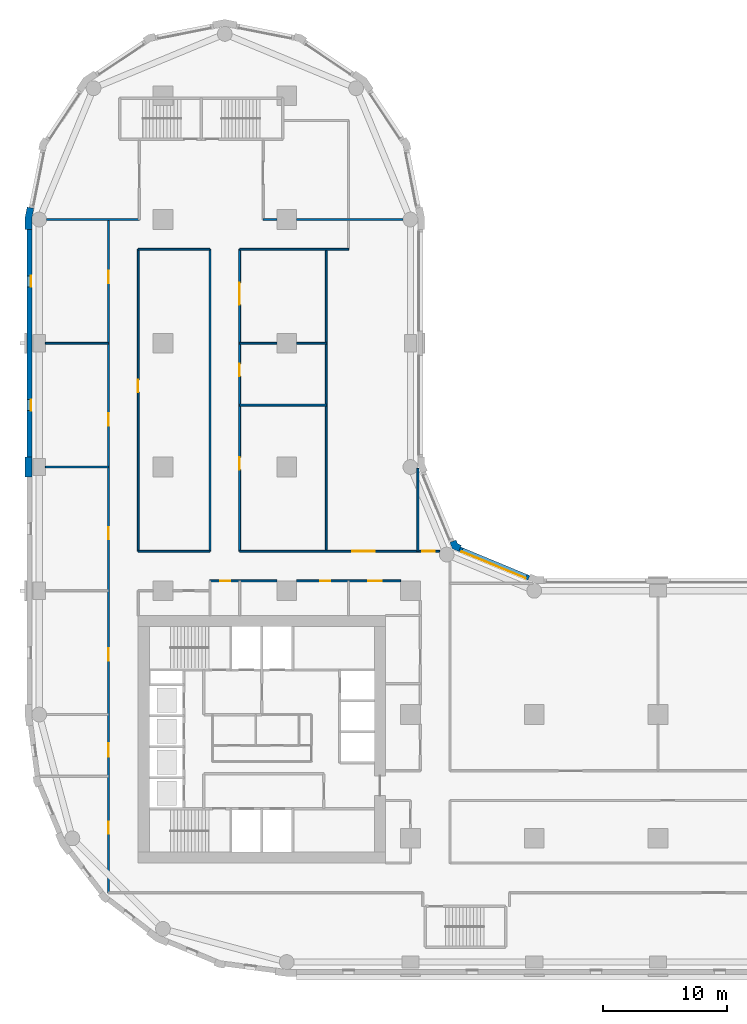
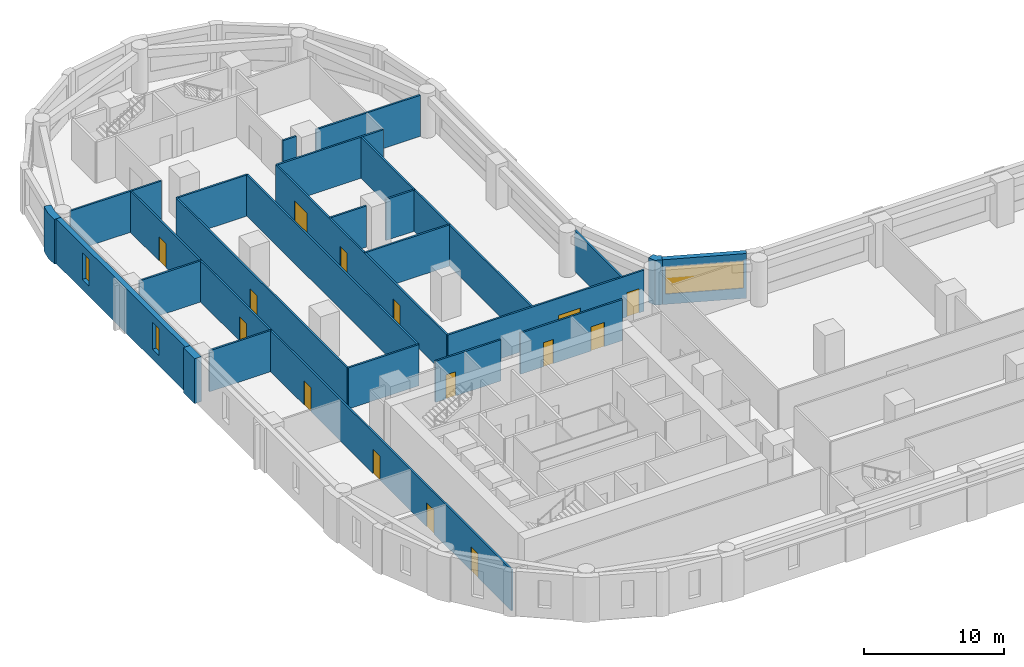
# One storey, part 5 of 10: 25 walls, 15 doors, 3 windows, 18 openings.
"""IFC4 building model written with IfcOpenShell, lengths in metres."""

import ifcopenshell
import ifcopenshell.guid

model = None  # the IFC model being written
_history = None  # IfcOwnerHistory: only IFC2X3 demands one
_inside = {}  # id of a spatial element -> (the spatial element, [elements in it])
_under = {}  # id of a project, library or spatial element -> (it, [spatial elements below it])
_declared = {}  # id of a project -> (the project, [libraries it declares])
_typed = {}  # id of a type object -> (the type object, [elements of that type])
_made_of = {}  # id of a material, layer set ... -> (it, [elements and type objects made of it])


def new_model(schema):
    """Start an empty IFC model of exactly this schema.

    Asked for "IFC4X3", IfcOpenShell would pick the latest addendum, in which some entities
    have other attributes; the version numbers below select the first issue.
    IFC2X3 requires an IfcOwnerHistory on every rooted entity: one is made here for all.
    """
    global model, _history
    if schema == "IFC4X3":
        model = ifcopenshell.file(schema_version=(4, 3, 0, 0))
    else:
        model = ifcopenshell.file(schema=schema)
    _inside.clear()
    _under.clear()
    _declared.clear()
    _typed.clear()
    _made_of.clear()
    _history = None
    if model.schema == "IFC2X3":
        org = make("IfcOrganization", Name="unknown")
        user = make(
            "IfcPersonAndOrganization",
            ThePerson=make("IfcPerson", FamilyName="unknown"),
            TheOrganization=org,
        )
        app = make(
            "IfcApplication",
            ApplicationDeveloper=org,
            Version="unknown",
            ApplicationFullName="unknown",
            ApplicationIdentifier="unknown",
        )
        _history = make(
            "IfcOwnerHistory",
            OwningUser=user,
            OwningApplication=app,
            ChangeAction="ADDED",
            CreationDate=0,
        )
    return model


def make(cls, **values):
    """One entity of the class cls with the attributes given. An attribute that is None is left unset."""
    return model.create_entity(
        cls, **{name: value for name, value in values.items() if value is not None}
    )


def rooted(cls, **values):
    """An entity with a GlobalId (a new one), such as an element, a storey or a relation."""
    return make(cls, GlobalId=ifcopenshell.guid.new(), OwnerHistory=_history, **values)


def si_unit(unit_type, name, prefix=None):
    """IfcSIUnit, for example si_unit("LENGTHUNIT", "METRE", prefix="MILLI")."""
    return make("IfcSIUnit", UnitType=unit_type, Prefix=prefix, Name=name)


def assignment(units):
    """IfcUnitAssignment: the units of a project."""
    return None if units is None else make("IfcUnitAssignment", Units=units)


def point(xyz):
    """IfcCartesianPoint."""
    return None if xyz is None else make("IfcCartesianPoint", Coordinates=xyz)


def direction(xyz):
    """IfcDirection."""
    return None if xyz is None else make("IfcDirection", DirectionRatios=xyz)


def frame(location, z_axis=None, x_axis=None):
    """IfcAxis2Placement3D, a coordinate frame: its origin and axes. An axis left out is left unset."""
    return make(
        "IfcAxis2Placement3D",
        Location=point(location),
        Axis=direction(z_axis),
        RefDirection=direction(x_axis),
    )


def frame_2d(location, x_axis=None):
    """IfcAxis2Placement2D, a coordinate frame in the plane: its origin and x axis."""
    return make(
        "IfcAxis2Placement2D", Location=point(location), RefDirection=direction(x_axis)
    )


def origin():
    """The frame at (0, 0, 0) with its axes left unset."""
    return frame((0.0, 0.0, 0.0))


def place(relative_to, where):
    """IfcLocalPlacement: puts the frame where relative to a parent placement (None: the world)."""
    return make(
        "IfcLocalPlacement", PlacementRelTo=relative_to, RelativePlacement=where
    )


def context(
    kind, dimensions, precision=None, world=None, true_north=None, identifier=None
):
    """IfcGeometricRepresentationContext, for example the 3D "Model" context."""
    return make(
        "IfcGeometricRepresentationContext",
        ContextIdentifier=identifier,
        ContextType=kind,
        CoordinateSpaceDimension=dimensions,
        Precision=precision,
        WorldCoordinateSystem=world,
        TrueNorth=true_north,
    )


def subcontext(parent, identifier, kind, view, scale=None):
    """IfcGeometricRepresentationSubContext, for example "Body" below "Model"."""
    return make(
        "IfcGeometricRepresentationSubContext",
        ContextIdentifier=identifier,
        ContextType=kind,
        ParentContext=parent,
        TargetScale=scale,
        TargetView=view,
    )


def project(units=None, contexts=None):
    """IfcProject with its units and contexts."""
    return rooted(
        "IfcProject",
        Name="project",
        RepresentationContexts=contexts,
        UnitsInContext=assignment(units),
    )


def spatial(cls, under=None, at=None, **own):
    """A site, building, storey or space (cls), placed at a placement, below another one or the project."""
    s = rooted(cls, ObjectPlacement=at, **own)
    if under is not None:
        _under.setdefault(under.id(), (under, []))[1].append(s)
    return s


def polyline(points):
    """IfcPolyline through the points."""
    return make("IfcPolyline", Points=[point(p) for p in points])


def profile(cls, at=None, kind="AREA", **sizes):
    """A parametric profile (cls). Its sizes go by their IFC names, for example OverallWidth=200.0."""
    return make(cls, ProfileType=kind, Position=at, **sizes)


def rectangle(**sizes):
    """IfcRectangleProfileDef."""
    return profile("IfcRectangleProfileDef", **sizes)


def outline(outer, holes=None, kind="AREA"):
    """IfcArbitraryClosedProfileDef: a profile drawn as a closed curve; with holes, ...WithVoids."""
    if holes is None:
        return make("IfcArbitraryClosedProfileDef", ProfileType=kind, OuterCurve=outer)
    return make(
        "IfcArbitraryProfileDefWithVoids",
        ProfileType=kind,
        OuterCurve=outer,
        InnerCurves=holes,
    )


def extrude(swept, where, along, depth):
    """IfcExtrudedAreaSolid: the profile swept, set in the frame where, extruded along a direction by depth."""
    return make(
        "IfcExtrudedAreaSolid",
        SweptArea=swept,
        Position=where,
        ExtrudedDirection=direction(along),
        Depth=depth,
    )


def shape(context_of_items, identifier, shape_type, items):
    """IfcShapeRepresentation: the items that make up one representation, for example the "Body"."""
    return make(
        "IfcShapeRepresentation",
        ContextOfItems=context_of_items,
        RepresentationIdentifier=identifier,
        RepresentationType=shape_type,
        Items=items,
    )


def material(Name=None, Category=None):
    """IfcMaterial."""
    return make("IfcMaterial", Name=Name, Category=Category)


def layer(
    of_material, thickness, ventilated=None, Name=None, Category=None, Priority=None
):
    """IfcMaterialLayer: one layer of a wall or slab, of a material (None: an air gap)."""
    return make(
        "IfcMaterialLayer",
        Material=of_material,
        LayerThickness=thickness,
        IsVentilated=ventilated,
        Name=Name,
        Category=Category,
        Priority=Priority,
    )


def layer_set(layers, Name=None):
    """IfcMaterialLayerSet."""
    return make("IfcMaterialLayerSet", MaterialLayers=layers, LayerSetName=Name)


def made_of(thing, what):
    """Note that an element or type object is made of a material, layer set ...; save() writes the relation."""
    if what is not None:
        _made_of.setdefault(what.id(), (what, []))[1].append(thing)
    return thing


def type_object(cls, material=None, **own):
    """A type object (cls), such as IfcWallType, which elements share."""
    return made_of(rooted(cls, **own), material)


def element(
    cls,
    number,
    at=None,
    inside=None,
    cuts=None,
    type_object=None,
    material=None,
    context=None,
    identifier="Body",
    shape_type=None,
    held_by="IfcProductDefinitionShape",
    body=None,
    shapes=None,
    **own,
):
    """One element of the class cls, such as IfcWall. Its Tag is "e" and its number.

    at: its placement. inside: the storey or other place that contains it. cuts: it is an
    opening in that element (IfcRelVoidsElement). A single representation is given by context,
    identifier, shape_type and body (its items); several are given by shapes. held_by: the class
    of the entity that holds the representations. save() writes the other relations.
    """
    e = rooted(cls, Tag="e%d" % number, ObjectPlacement=at, **own)
    if body is not None:
        shapes = [shape(context, identifier, shape_type, body)]
    if shapes is not None:
        e.Representation = make(held_by, Representations=shapes)
    if inside is not None:
        _inside.setdefault(inside.id(), (inside, []))[1].append(e)
    if cuts is not None:
        rooted(
            "IfcRelVoidsElement", RelatingBuildingElement=cuts, RelatedOpeningElement=e
        )
    if type_object is not None:
        _typed.setdefault(type_object.id(), (type_object, []))[1].append(e)
    return made_of(e, material)


def fill(opening, filler):
    """IfcRelFillsElement: the door or window that sits in an opening."""
    return rooted(
        "IfcRelFillsElement",
        RelatingOpeningElement=opening,
        RelatedBuildingElement=filler,
    )


def aggregate(whole, parts):
    """IfcRelAggregates: a whole, such as a stair, and the parts it consists of."""
    return rooted("IfcRelAggregates", RelatingObject=whole, RelatedObjects=parts)


def save(model, path):
    """Write the relations noted so far, then the file.

    IfcRelAggregates (storeys below a building ...), IfcRelContainedInSpatialStructure (elements
    in a storey), IfcRelDefinesByType, IfcRelAssociatesMaterial and IfcRelDeclares: one each for
    every whole, place, type object, material and project.
    """
    for whole, parts in _under.values():
        aggregate(whole, parts)
    for where, things in _inside.values():
        rooted(
            "IfcRelContainedInSpatialStructure",
            RelatedElements=things,
            RelatingStructure=where,
        )
    for kind, things in _typed.values():
        rooted("IfcRelDefinesByType", RelatedObjects=things, RelatingType=kind)
    for what, things in _made_of.values():
        rooted("IfcRelAssociatesMaterial", RelatedObjects=things, RelatingMaterial=what)
    for by, libraries in _declared.values():
        rooted("IfcRelDeclares", RelatingContext=by, RelatedDefinitions=libraries)
    model.write(path)


model = new_model("IFC4")

# Units and contexts
model_context = context("Model", 3, precision=1e-05, world=origin(), true_north=direction((0.0, 1.0)))
body_context = subcontext(model_context, "Body", "Model", "MODEL_VIEW")
ifc_project = project(units=[si_unit("LENGTHUNIT", "METRE"), si_unit("AREAUNIT", "SQUARE_METRE"), si_unit("VOLUMEUNIT", "CUBIC_METRE"), si_unit("PLANEANGLEUNIT", "RADIAN"), si_unit("MASSUNIT", "GRAM", prefix="KILO")], contexts=[model_context])

# Site, building, storey
site_placement = place(None, origin())
site = spatial("IfcSite", under=ifc_project, at=site_placement, CompositionType="ELEMENT")
building_placement = place(site_placement, origin())
building = spatial("IfcBuilding", under=site, at=building_placement, Name="Qaws Garden Tower", CompositionType="ELEMENT")
storey_placement = place(building_placement, frame((0.0, 0.0, 58.800048828125)))
storey = spatial("IfcBuildingStorey", under=building, at=storey_placement, Name="L14", CompositionType="ELEMENT", Elevation=58.800048828125)

# Wall, opening, window
ifc_material_1 = material(Name="Clay facing brick masonry", Category="masonry")
ifc_layer_1 = layer(ifc_material_1, 0.39990234375)
ifc_layer_set_1 = layer_set([ifc_layer_1], Name="Clay facing brick masonry")
wall_type_1 = type_object("IfcWallType", Name="Brick infill wall 400", PredefinedType="SOLIDWALL", material=ifc_layer_set_1)
wall_1_placement = place(storey_placement, frame((39.56689453125, 31.04541015625, 0.0), z_axis=(0.0, 0.0, 1.0), x_axis=(-0.923891000409, 0.382655745237, 0.0)))
wall_1 = element("IfcWall", 1, at=wall_1_placement, inside=storey, type_object=wall_type_1, Name="E-L14-infill-11", PredefinedType="SOLIDWALL", context=body_context, shape_type="SweptSolid", body=[
    extrude(rectangle(XDim=6.053466796875, YDim=0.39990234375, at=frame_2d((3.02685546875, 0.0))), origin(), (0.0, 0.0, 1.0), 3.89990234375),
])
opening_1_placement = place(wall_1_placement, frame((0.226806640625, 0.0, 0.89990234375)))
opening_1 = element("IfcOpeningElement", 2, at=opening_1_placement, cuts=wall_1, Name="Opening W04", PredefinedType="OPENING", context=body_context, shape_type="SweptSolid", body=[
    extrude(rectangle(XDim=5.60009765625, YDim=2.35009765625, at=frame_2d((2.800048828125, 1.175048828125))), frame((0.0, 0.2099609375, 0.0), z_axis=(0.0, -1.0, 0.0), x_axis=(1.0, 0.0, 0.0)), (0.0, 0.0, 1.0), 0.419921875),
])
ifc_material_2 = material(Name="Aluminium framed window, clear glazing", Category="aluminium")
window_type_1 = type_object("IfcWindowType", Name="Ribbon window 5600 x 2350", PartitioningType="DOUBLE_PANEL_VERTICAL", PredefinedType="WINDOW", material=ifc_material_2)
window_1_placement = place(opening_1_placement, origin())
window_1 = element("IfcWindow", 3, at=window_1_placement, inside=storey, type_object=window_type_1, Name="E-L14-window-11-0", OverallHeight=2.35009765625, OverallWidth=5.60009765625, PartitioningType="SINGLE_PANEL", PredefinedType="WINDOW", context=body_context, shape_type="SweptSolid", body=[
    extrude(rectangle(XDim=5.60009765625, YDim=2.35009765625, at=frame_2d((2.800048828125, 1.175048828125))), frame((0.0, 0.159912109375, 0.0), z_axis=(0.0, -1.0, 0.0), x_axis=(1.0, 0.0, 0.0)), (0.0, 0.0, 1.0), 0.06005859375),
])
fill(opening_1, window_1)

# Wall, openings, windows
wall_2_placement = place(storey_placement, frame((-0.800048828125, 59.199951171875, 0.0), z_axis=(0.0, 0.0, 1.0), x_axis=(0.0, -1.0, 0.0)))
wall_2 = element("IfcWall", 4, at=wall_2_placement, inside=storey, type_object=wall_type_1, Name="E-L14-infill-23", PredefinedType="SOLIDWALL", context=body_context, shape_type="SweptSolid", body=[
    extrude(rectangle(XDim=18.39990234375, YDim=0.39990234375, at=frame_2d((9.199951171875, 0.0))), origin(), (0.0, 0.0, 1.0), 3.89990234375),
])
opening_2_placement = place(wall_2_placement, frame((3.75, 0.0, 0.89990234375)))
opening_2 = element("IfcOpeningElement", 5, at=opening_2_placement, cuts=wall_2, Name="Opening W09", PredefinedType="OPENING", context=body_context, shape_type="SweptSolid", body=[
    extrude(rectangle(XDim=0.89990234375, YDim=2.35009765625, at=frame_2d((0.449951171875, 1.175048828125))), frame((0.0, 0.2099609375, 0.0), z_axis=(0.0, -1.0, 0.0), x_axis=(1.0, 0.0, 0.0)), (0.0, 0.0, 1.0), 0.419921875),
])
opening_3_placement = place(wall_2_placement, frame((13.75, 0.0, 0.89990234375)))
opening_3 = element("IfcOpeningElement", 6, at=opening_3_placement, cuts=wall_2, Name="Opening W09", PredefinedType="OPENING", context=body_context, shape_type="SweptSolid", body=[
    extrude(rectangle(XDim=0.89990234375, YDim=2.35009765625, at=frame_2d((0.449951171875, 1.175048828125))), frame((0.0, 0.2099609375, 0.0), z_axis=(0.0, -1.0, 0.0), x_axis=(1.0, 0.0, 0.0)), (0.0, 0.0, 1.0), 0.419921875),
])
ifc_material_3 = material(Name="Aluminium framed window, clear glazing", Category="aluminium")
window_type_2 = type_object("IfcWindowType", Name="Slit window 900 x 2350", PartitioningType="SINGLE_PANEL", PredefinedType="WINDOW", material=ifc_material_3)
window_2_placement = place(opening_2_placement, origin())
window_2 = element("IfcWindow", 7, at=window_2_placement, inside=storey, type_object=window_type_2, Name="E-L14-window-23-0", OverallHeight=2.35009765625, OverallWidth=0.89990234375, PartitioningType="SINGLE_PANEL", PredefinedType="WINDOW", context=body_context, shape_type="SweptSolid", body=[
    extrude(rectangle(XDim=0.89990234375, YDim=2.35009765625, at=frame_2d((0.449951171875, 1.175048828125))), frame((0.0, 0.159912109375, 0.0), z_axis=(0.0, -1.0, 0.0), x_axis=(1.0, 0.0, 0.0)), (0.0, 0.0, 1.0), 0.06005859375),
])
fill(opening_2, window_2)
window_3_placement = place(opening_3_placement, origin())
window_3 = element("IfcWindow", 8, at=window_3_placement, inside=storey, type_object=window_type_2, Name="E-L14-window-24-0", OverallHeight=2.35009765625, OverallWidth=0.89990234375, PartitioningType="SINGLE_PANEL", PredefinedType="WINDOW", context=body_context, shape_type="SweptSolid", body=[
    extrude(rectangle(XDim=0.89990234375, YDim=2.35009765625, at=frame_2d((0.449951171875, 1.175048828125))), frame((0.0, 0.159912109375, 0.0), z_axis=(0.0, -1.0, 0.0), x_axis=(1.0, 0.0, 0.0)), (0.0, 0.0, 1.0), 0.06005859375),
])
fill(opening_3, window_3)

# Walls
ifc_material_4 = material(Name="Clay facing brick masonry", Category="masonry")
ifc_layer_2 = layer(ifc_material_4, 0.550048828125)
ifc_layer_set_2 = layer_set([ifc_layer_2], Name="Clay facing brick masonry")
wall_type_2 = type_object("IfcWallType", Name="Brick pier 550 x 1600", PredefinedType="SOLIDWALL", material=ifc_layer_set_2)
placement = place(storey_placement, origin())
element("IfcWall", 9, at=placement, inside=storey, type_object=wall_type_2, Name="E-L14-pier-12", PredefinedType="SOLIDWALL", context=body_context, shape_type="SweptSolid", body=[
    extrude(outline(polyline([(34.05078125, 33.546630859375), (34.108154296875, 33.685302734375), (33.80908203125, 33.80908203125), (33.685302734375, 34.108154296875), (33.546630859375, 34.05078125), (33.177001953125, 33.897705078125), (33.38818359375, 33.38818359375), (33.897705078125, 33.177001953125), (34.05078125, 33.546630859375)])), origin(), (0.0, 0.0, 1.0), 3.89990234375),
])
element("IfcWall", 10, at=placement, inside=storey, type_object=wall_type_2, Name="E-L14-pier-23", PredefinedType="SOLIDWALL", context=body_context, shape_type="SweptSolid", body=[
    extrude(outline(polyline([(-0.82470703125, 60.979736328125), (-0.971923828125, 61.009033203125), (-1.14990234375, 60.11328125), (-1.14990234375, 59.199951171875), (-1.0, 59.199951171875), (-0.60009765625, 59.199951171875), (-0.60009765625, 60.05908203125), (-0.432373046875, 60.901611328125), (-0.82470703125, 60.979736328125)])), origin(), (0.0, 0.0, 1.0), 3.89990234375),
])
element("IfcWall", 11, at=placement, inside=storey, type_object=wall_type_2, Name="E-L14-pier-25", PredefinedType="SOLIDWALL", context=body_context, shape_type="SweptSolid", body=[
    extrude(outline(polyline([(-1.0, 40.800048828125), (-1.14990234375, 40.800048828125), (-1.14990234375, 40.0), (-1.14990234375, 39.199951171875), (-1.0, 39.199951171875), (-0.60009765625, 39.199951171875), (-0.60009765625, 40.0), (-0.60009765625, 40.800048828125), (-1.0, 40.800048828125)])), origin(), (0.0, 0.0, 1.0), 3.89990234375),
])

# Wall, openings, doors
ifc_material_5 = material(Name="Gypsum board partition")
ifc_layer_3 = layer(ifc_material_5, 0.14990234375)
ifc_layer_set_3 = layer_set([ifc_layer_3], Name="Gypsum board partition")
wall_type_3 = type_object("IfcWallType", Name="PARTITION 150 EI 60", PredefinedType="PARTITIONING", material=ifc_layer_set_3)
wall_6_placement = place(storey_placement, frame((5.60009765625, 5.60009765625, 0.0), z_axis=(0.0, 0.0, 1.0), x_axis=(0.0, 1.0, 0.0)))
wall_6 = element("IfcWall", 12, at=wall_6_placement, inside=storey, type_object=wall_type_3, Name="O-L14-wall-001", PredefinedType="PARTITIONING", context=body_context, shape_type="SweptSolid", body=[
    extrude(rectangle(XDim=54.39990234375, YDim=0.14990234375, at=frame_2d((27.199951171875, 0.0))), origin(), (0.0, 0.0, 1.0), 3.579833984375),
])
opening_4_placement = place(wall_6_placement, frame((4.75, 0.0, 0.0)))
opening_4 = element("IfcOpeningElement", 13, at=opening_4_placement, cuts=wall_6, Name="Opening A501", PredefinedType="OPENING", context=body_context, shape_type="SweptSolid", body=[
    extrude(rectangle(XDim=1.0, YDim=2.10009765625, at=frame_2d((0.5, 1.050048828125))), frame((0.0, 0.0849609375, 0.0), z_axis=(0.0, -1.0, 0.0), x_axis=(1.0, 0.0, 0.0)), (0.0, 0.0, 1.0), 0.169921875),
])
opening_5_placement = place(wall_6_placement, frame((11.0, 0.0, 0.0)))
opening_5 = element("IfcOpeningElement", 14, at=opening_5_placement, cuts=wall_6, Name="Opening A502", PredefinedType="OPENING", context=body_context, shape_type="SweptSolid", body=[
    extrude(rectangle(XDim=1.10009765625, YDim=2.10009765625, at=frame_2d((0.550048828125, 1.050048828125))), frame((0.0, 0.0849609375, 0.0), z_axis=(0.0, -1.0, 0.0), x_axis=(1.0, 0.0, 0.0)), (0.0, 0.0, 1.0), 0.169921875),
])
opening_6_placement = place(wall_6_placement, frame((18.75, 0.0, 0.0)))
opening_6 = element("IfcOpeningElement", 15, at=opening_6_placement, cuts=wall_6, Name="Opening A513", PredefinedType="OPENING", context=body_context, shape_type="SweptSolid", body=[
    extrude(rectangle(XDim=1.0, YDim=2.10009765625, at=frame_2d((0.5, 1.050048828125))), frame((0.0, 0.0849609375, 0.0), z_axis=(0.0, -1.0, 0.0), x_axis=(1.0, 0.0, 0.0)), (0.0, 0.0, 1.0), 0.169921875),
])
opening_7_placement = place(wall_6_placement, frame((28.550048828125, 0.0, 0.0)))
opening_7 = element("IfcOpeningElement", 16, at=opening_7_placement, cuts=wall_6, Name="Opening A518", PredefinedType="OPENING", context=body_context, shape_type="SweptSolid", body=[
    extrude(rectangle(XDim=1.0, YDim=2.10009765625, at=frame_2d((0.5, 1.050048828125))), frame((0.0, 0.0849609375, 0.0), z_axis=(0.0, -1.0, 0.0), x_axis=(1.0, 0.0, 0.0)), (0.0, 0.0, 1.0), 0.169921875),
])
opening_8_placement = place(wall_6_placement, frame((37.75, 0.0, 0.0)))
opening_8 = element("IfcOpeningElement", 17, at=opening_8_placement, cuts=wall_6, Name="Opening A519", PredefinedType="OPENING", context=body_context, shape_type="SweptSolid", body=[
    extrude(rectangle(XDim=1.0, YDim=2.10009765625, at=frame_2d((0.5, 1.050048828125))), frame((0.0, 0.0849609375, 0.0), z_axis=(0.0, -1.0, 0.0), x_axis=(1.0, 0.0, 0.0)), (0.0, 0.0, 1.0), 0.169921875),
])
opening_9_placement = place(wall_6_placement, frame((49.25, 0.0, 0.0)))
opening_9 = element("IfcOpeningElement", 18, at=opening_9_placement, cuts=wall_6, Name="Opening A520", PredefinedType="OPENING", context=body_context, shape_type="SweptSolid", body=[
    extrude(rectangle(XDim=1.0, YDim=2.10009765625, at=frame_2d((0.5, 1.050048828125))), frame((0.0, 0.0849609375, 0.0), z_axis=(0.0, -1.0, 0.0), x_axis=(1.0, 0.0, 0.0)), (0.0, 0.0, 1.0), 0.169921875),
])
ifc_material_6 = material(Name="Timber door leaf", Category="wood")
door_type_1 = type_object("IfcDoorType", Name="SERVICE ROOM DOOR 1100 X 2100", OperationType="SINGLE_SWING_LEFT", PredefinedType="DOOR", material=ifc_material_6)
door_1_placement = place(opening_5_placement, origin())
door_1 = element("IfcDoor", 19, at=door_1_placement, inside=storey, type_object=door_type_1, Name="O-L14-door-002", OperationType="SINGLE_SWING_RIGHT", OverallHeight=2.10009765625, OverallWidth=1.10009765625, PredefinedType="DOOR", context=body_context, shape_type="SweptSolid", body=[
    extrude(rectangle(XDim=1.10009765625, YDim=2.10009765625, at=frame_2d((0.550048828125, 1.050048828125))), frame((0.0, 0.02490234375, 0.0), z_axis=(0.0, -1.0, 0.0), x_axis=(1.0, 0.0, 0.0)), (0.0, 0.0, 1.0), 0.050048828125),
])
fill(opening_5, door_1)
ifc_material_7 = material(Name="Timber door leaf", Category="wood")
door_type_2 = type_object("IfcDoorType", Name="TENANCY ENTRANCE DOOR 1000 X 2100", OperationType="SINGLE_SWING_LEFT", PredefinedType="DOOR", material=ifc_material_7)
door_2_placement = place(opening_4_placement, origin())
door_2 = element("IfcDoor", 20, at=door_2_placement, inside=storey, type_object=door_type_2, Name="O-L14-door-001", OperationType="SINGLE_SWING_RIGHT", OverallHeight=2.10009765625, OverallWidth=1.0, PredefinedType="DOOR", context=body_context, shape_type="SweptSolid", body=[
    extrude(rectangle(XDim=1.0, YDim=2.10009765625, at=frame_2d((0.5, 1.050048828125))), frame((0.0, 0.02490234375, 0.0), z_axis=(0.0, -1.0, 0.0), x_axis=(1.0, 0.0, 0.0)), (0.0, 0.0, 1.0), 0.050048828125),
])
fill(opening_4, door_2)
door_3_placement = place(opening_6_placement, origin())
door_3 = element("IfcDoor", 21, at=door_3_placement, inside=storey, type_object=door_type_2, Name="O-L14-door-013", OperationType="SINGLE_SWING_RIGHT", OverallHeight=2.10009765625, OverallWidth=1.0, PredefinedType="DOOR", context=body_context, shape_type="SweptSolid", body=[
    extrude(rectangle(XDim=1.0, YDim=2.10009765625, at=frame_2d((0.5, 1.050048828125))), frame((0.0, 0.02490234375, 0.0), z_axis=(0.0, -1.0, 0.0), x_axis=(1.0, 0.0, 0.0)), (0.0, 0.0, 1.0), 0.050048828125),
])
fill(opening_6, door_3)
door_4_placement = place(opening_7_placement, origin())
door_4 = element("IfcDoor", 22, at=door_4_placement, inside=storey, type_object=door_type_2, Name="O-L14-door-018", OperationType="SINGLE_SWING_RIGHT", OverallHeight=2.10009765625, OverallWidth=1.0, PredefinedType="DOOR", context=body_context, shape_type="SweptSolid", body=[
    extrude(rectangle(XDim=1.0, YDim=2.10009765625, at=frame_2d((0.5, 1.050048828125))), frame((0.0, 0.02490234375, 0.0), z_axis=(0.0, -1.0, 0.0), x_axis=(1.0, 0.0, 0.0)), (0.0, 0.0, 1.0), 0.050048828125),
])
fill(opening_7, door_4)
door_5_placement = place(opening_8_placement, origin())
door_5 = element("IfcDoor", 23, at=door_5_placement, inside=storey, type_object=door_type_2, Name="O-L14-door-019", OperationType="SINGLE_SWING_LEFT", OverallHeight=2.10009765625, OverallWidth=1.0, PredefinedType="DOOR", context=body_context, shape_type="SweptSolid", body=[
    extrude(rectangle(XDim=1.0, YDim=2.10009765625, at=frame_2d((0.5, 1.050048828125))), frame((0.0, 0.02490234375, 0.0), z_axis=(0.0, -1.0, 0.0), x_axis=(1.0, 0.0, 0.0)), (0.0, 0.0, 1.0), 0.050048828125),
])
fill(opening_8, door_5)
door_6_placement = place(opening_9_placement, origin())
door_6 = element("IfcDoor", 24, at=door_6_placement, inside=storey, type_object=door_type_2, Name="O-L14-door-020", OperationType="SINGLE_SWING_LEFT", OverallHeight=2.10009765625, OverallWidth=1.0, PredefinedType="DOOR", context=body_context, shape_type="SweptSolid", body=[
    extrude(rectangle(XDim=1.0, YDim=2.10009765625, at=frame_2d((0.5, 1.050048828125))), frame((0.0, 0.02490234375, 0.0), z_axis=(0.0, -1.0, 0.0), x_axis=(1.0, 0.0, 0.0)), (0.0, 0.0, 1.0), 0.050048828125),
])
fill(opening_9, door_6)

# Wall, opening, door
wall_7_placement = place(storey_placement, frame((8.0, 33.199951171875, 0.0), z_axis=(0.0, 0.0, 1.0), x_axis=(0.0, 1.0, 0.0)))
wall_7 = element("IfcWall", 25, at=wall_7_placement, inside=storey, type_object=wall_type_3, Name="O-L14-wall-003", PredefinedType="PARTITIONING", context=body_context, shape_type="SweptSolid", body=[
    extrude(rectangle(XDim=24.400146484375, YDim=0.14990234375, at=frame_2d((12.2001953125, 0.0))), origin(), (0.0, 0.0, 1.0), 3.579833984375),
])
opening_10_placement = place(wall_7_placement, frame((12.85009765625, 0.0, 0.0)))
opening_10 = element("IfcOpeningElement", 26, at=opening_10_placement, cuts=wall_7, Name="Opening A508", PredefinedType="OPENING", context=body_context, shape_type="SweptSolid", body=[
    extrude(rectangle(XDim=1.0, YDim=2.10009765625, at=frame_2d((0.5, 1.050048828125))), frame((0.0, 0.0849609375, 0.0), z_axis=(0.0, -1.0, 0.0), x_axis=(1.0, 0.0, 0.0)), (0.0, 0.0, 1.0), 0.169921875),
])
door_7_placement = place(opening_10_placement, frame((1.0, 0.0, 0.0), z_axis=(0.0, 0.0, 1.0), x_axis=(-1.0, 0.0, 0.0)))
door_7 = element("IfcDoor", 27, at=door_7_placement, inside=storey, type_object=door_type_2, Name="O-L14-door-008", OperationType="SINGLE_SWING_RIGHT", OverallHeight=2.10009765625, OverallWidth=1.0, PredefinedType="DOOR", context=body_context, shape_type="SweptSolid", body=[
    extrude(rectangle(XDim=1.0, YDim=2.10009765625, at=frame_2d((0.5, 1.050048828125))), frame((0.0, 0.02490234375, 0.0), z_axis=(0.0, -1.0, 0.0), x_axis=(1.0, 0.0, 0.0)), (0.0, 0.0, 1.0), 0.050048828125),
])
fill(opening_10, door_7)

# Wall
wall_8_placement = place(storey_placement, frame((13.800048828125, 33.199951171875, 0.0), z_axis=(0.0, 0.0, 1.0), x_axis=(0.0, 1.0, 0.0)))
element("IfcWall", 28, at=wall_8_placement, inside=storey, type_object=wall_type_3, Name="O-L14-wall-006", PredefinedType="PARTITIONING", context=body_context, shape_type="SweptSolid", body=[
    extrude(rectangle(XDim=24.400146484375, YDim=0.14990234375, at=frame_2d((12.2001953125, 0.0))), origin(), (0.0, 0.0, 1.0), 3.579833984375),
])

# Wall, openings, doors
wall_9_placement = place(storey_placement, frame((16.199951171875, 33.199951171875, 0.0), z_axis=(0.0, 0.0, 1.0), x_axis=(0.0, 1.0, 0.0)))
wall_9 = element("IfcWall", 29, at=wall_9_placement, inside=storey, type_object=wall_type_3, Name="O-L14-wall-008", PredefinedType="PARTITIONING", context=body_context, shape_type="SweptSolid", body=[
    extrude(rectangle(XDim=24.400146484375, YDim=0.14990234375, at=frame_2d((12.2001953125, 0.0))), origin(), (0.0, 0.0, 1.0), 3.579833984375),
])
opening_11_placement = place(wall_9_placement, frame((6.60009765625, 0.0, 0.0)))
opening_11 = element("IfcOpeningElement", 30, at=opening_11_placement, cuts=wall_9, Name="Opening A509", PredefinedType="OPENING", context=body_context, shape_type="SweptSolid", body=[
    extrude(rectangle(XDim=1.0, YDim=2.10009765625, at=frame_2d((0.5, 1.050048828125))), frame((0.0, 0.0849609375, 0.0), z_axis=(0.0, -1.0, 0.0), x_axis=(1.0, 0.0, 0.0)), (0.0, 0.0, 1.0), 0.169921875),
])
opening_12_placement = place(wall_9_placement, frame((14.14990234375, 0.0, 0.0)))
opening_12 = element("IfcOpeningElement", 31, at=opening_12_placement, cuts=wall_9, Name="Opening A510", PredefinedType="OPENING", context=body_context, shape_type="SweptSolid", body=[
    extrude(rectangle(XDim=1.0, YDim=2.10009765625, at=frame_2d((0.5, 1.050048828125))), frame((0.0, 0.0849609375, 0.0), z_axis=(0.0, -1.0, 0.0), x_axis=(1.0, 0.0, 0.0)), (0.0, 0.0, 1.0), 0.169921875),
])
opening_13_placement = place(wall_9_placement, frame((19.89990234375, 0.0, 0.0)))
opening_13 = element("IfcOpeningElement", 32, at=opening_13_placement, cuts=wall_9, Name="Opening A511", PredefinedType="OPENING", context=body_context, shape_type="SweptSolid", body=[
    extrude(rectangle(XDim=1.800048828125, YDim=2.10009765625, at=frame_2d((0.89990234375, 1.050048828125))), frame((0.0, 0.0849609375, 0.0), z_axis=(0.0, -1.0, 0.0), x_axis=(1.0, 0.0, 0.0)), (0.0, 0.0, 1.0), 0.169921875),
])
ifc_material_8 = material(Name="Timber door leaf", Category="wood")
door_type_3 = type_object("IfcDoorType", Name="DOUBLE DOOR 1800 X 2100", OperationType="DOUBLE_DOOR_SINGLE_SWING", PredefinedType="DOOR", material=ifc_material_8)
door_8_placement = place(opening_13_placement, frame((1.800048828125, 0.0, 0.0), z_axis=(0.0, 0.0, 1.0), x_axis=(-1.0, 0.0, 0.0)))
door_8 = element("IfcDoor", 33, at=door_8_placement, inside=storey, type_object=door_type_3, Name="O-L14-door-011", OperationType="DOUBLE_DOOR_SINGLE_SWING", OverallHeight=2.10009765625, OverallWidth=1.800048828125, PredefinedType="DOOR", context=body_context, shape_type="SweptSolid", body=[
    extrude(rectangle(XDim=1.800048828125, YDim=2.10009765625, at=frame_2d((0.89990234375, 1.050048828125))), frame((0.0, 0.02490234375, 0.0), z_axis=(0.0, -1.0, 0.0), x_axis=(1.0, 0.0, 0.0)), (0.0, 0.0, 1.0), 0.050048828125),
])
fill(opening_13, door_8)
door_9_placement = place(opening_11_placement, frame((1.0, 0.0, 0.0), z_axis=(0.0, 0.0, 1.0), x_axis=(-1.0, 0.0, 0.0)))
door_9 = element("IfcDoor", 34, at=door_9_placement, inside=storey, type_object=door_type_2, Name="O-L14-door-009", OperationType="SINGLE_SWING_RIGHT", OverallHeight=2.10009765625, OverallWidth=1.0, PredefinedType="DOOR", context=body_context, shape_type="SweptSolid", body=[
    extrude(rectangle(XDim=1.0, YDim=2.10009765625, at=frame_2d((0.5, 1.050048828125))), frame((0.0, 0.02490234375, 0.0), z_axis=(0.0, -1.0, 0.0), x_axis=(1.0, 0.0, 0.0)), (0.0, 0.0, 1.0), 0.050048828125),
])
fill(opening_11, door_9)
door_10_placement = place(opening_12_placement, frame((1.0, 0.0, 0.0), z_axis=(0.0, 0.0, 1.0), x_axis=(-1.0, 0.0, 0.0)))
door_10 = element("IfcDoor", 35, at=door_10_placement, inside=storey, type_object=door_type_2, Name="O-L14-door-010", OperationType="SINGLE_SWING_RIGHT", OverallHeight=2.10009765625, OverallWidth=1.0, PredefinedType="DOOR", context=body_context, shape_type="SweptSolid", body=[
    extrude(rectangle(XDim=1.0, YDim=2.10009765625, at=frame_2d((0.5, 1.050048828125))), frame((0.0, 0.02490234375, 0.0), z_axis=(0.0, -1.0, 0.0), x_axis=(1.0, 0.0, 0.0)), (0.0, 0.0, 1.0), 0.050048828125),
])
fill(opening_12, door_10)

# Walls
wall_10_placement = place(storey_placement, frame((23.199951171875, 33.199951171875, 0.0), z_axis=(0.0, 0.0, 1.0), x_axis=(0.0, 1.0, 0.0)))
element("IfcWall", 36, at=wall_10_placement, inside=storey, type_object=wall_type_3, Name="O-L14-wall-010", PredefinedType="PARTITIONING", context=body_context, shape_type="SweptSolid", body=[
    extrude(rectangle(XDim=24.400146484375, YDim=0.14990234375, at=frame_2d((12.2001953125, 0.0))), origin(), (0.0, 0.0, 1.0), 3.579833984375),
])
wall_11_placement = place(storey_placement, frame((30.60009765625, 33.199951171875, 0.0), z_axis=(0.0, 0.0, 1.0), x_axis=(0.0, 1.0, 0.0)))
element("IfcWall", 37, at=wall_11_placement, inside=storey, type_object=wall_type_3, Name="O-L14-wall-015", PredefinedType="PARTITIONING", context=body_context, shape_type="SweptSolid", body=[
    extrude(rectangle(XDim=6.698974609375, YDim=0.14990234375, at=frame_2d((3.349609375, 0.0))), origin(), (0.0, 0.0, 1.0), 3.579833984375),
])

# Wall, opening, door
wall_12_placement = place(storey_placement, frame((13.800048828125, 30.800048828125, 0.0), z_axis=(0.0, 0.0, 1.0), x_axis=(1.0, 0.0, 0.0)))
wall_12 = element("IfcWall", 38, at=wall_12_placement, inside=storey, type_object=wall_type_3, Name="O-L14-wall-042", PredefinedType="PARTITIONING", context=body_context, shape_type="SweptSolid", body=[
    extrude(rectangle(XDim=5.39990234375, YDim=0.14990234375, at=frame_2d((2.699951171875, 0.0))), origin(), (0.0, 0.0, 1.0), 3.579833984375),
])
opening_14_placement = place(wall_12_placement, frame((0.85009765625, 0.0, 0.0)))
opening_14 = element("IfcOpeningElement", 39, at=opening_14_placement, cuts=wall_12, Name="Opening A517", PredefinedType="OPENING", context=body_context, shape_type="SweptSolid", body=[
    extrude(rectangle(XDim=0.800048828125, YDim=2.10009765625, at=frame_2d((0.39990234375, 1.050048828125))), frame((0.0, 0.0849609375, 0.0), z_axis=(0.0, -1.0, 0.0), x_axis=(1.0, 0.0, 0.0)), (0.0, 0.0, 1.0), 0.169921875),
])
ifc_material_9 = material(Name="Timber door leaf", Category="wood")
door_type_4 = type_object("IfcDoorType", Name="STORE DOOR 800 X 2100", OperationType="SINGLE_SWING_LEFT", PredefinedType="DOOR", material=ifc_material_9)
door_11_placement = place(opening_14_placement, frame((0.800048828125, 0.0, 0.0), z_axis=(0.0, 0.0, 1.0), x_axis=(-1.0, 0.0, 0.0)))
door_11 = element("IfcDoor", 40, at=door_11_placement, inside=storey, type_object=door_type_4, Name="O-L14-door-017", OperationType="SINGLE_SWING_LEFT", OverallHeight=2.10009765625, OverallWidth=0.800048828125, PredefinedType="DOOR", context=body_context, shape_type="SweptSolid", body=[
    extrude(rectangle(XDim=0.800048828125, YDim=2.10009765625, at=frame_2d((0.39990234375, 1.050048828125))), frame((0.0, 0.02490234375, 0.0), z_axis=(0.0, -1.0, 0.0), x_axis=(1.0, 0.0, 0.0)), (0.0, 0.0, 1.0), 0.050048828125),
])
fill(opening_14, door_11)

# Wall, openings, doors
wall_13_placement = place(storey_placement, frame((20.800048828125, 30.800048828125, 0.0), z_axis=(0.0, 0.0, 1.0), x_axis=(1.0, 0.0, 0.0)))
wall_13 = element("IfcWall", 41, at=wall_13_placement, inside=storey, type_object=wall_type_3, Name="O-L14-wall-043", PredefinedType="PARTITIONING", context=body_context, shape_type="SweptSolid", body=[
    extrude(rectangle(XDim=8.39990234375, YDim=0.14990234375, at=frame_2d((4.199951171875, 0.0))), origin(), (0.0, 0.0, 1.0), 3.579833984375),
])
opening_15_placement = place(wall_13_placement, frame((1.89990234375, 0.0, 0.0)))
opening_15 = element("IfcOpeningElement", 42, at=opening_15_placement, cuts=wall_13, Name="Opening A506", PredefinedType="OPENING", context=body_context, shape_type="SweptSolid", body=[
    extrude(rectangle(XDim=0.800048828125, YDim=2.10009765625, at=frame_2d((0.39990234375, 1.050048828125))), frame((0.0, 0.0849609375, 0.0), z_axis=(0.0, -1.0, 0.0), x_axis=(1.0, 0.0, 0.0)), (0.0, 0.0, 1.0), 0.169921875),
])
opening_16_placement = place(wall_13_placement, frame((5.800048828125, 0.0, 0.0)))
opening_16 = element("IfcOpeningElement", 43, at=opening_16_placement, cuts=wall_13, Name="Opening A507", PredefinedType="OPENING", context=body_context, shape_type="SweptSolid", body=[
    extrude(rectangle(XDim=1.10009765625, YDim=2.10009765625, at=frame_2d((0.550048828125, 1.050048828125))), frame((0.0, 0.0849609375, 0.0), z_axis=(0.0, -1.0, 0.0), x_axis=(1.0, 0.0, 0.0)), (0.0, 0.0, 1.0), 0.169921875),
])
door_12_placement = place(opening_16_placement, frame((1.10009765625, 0.0, 0.0), z_axis=(0.0, 0.0, 1.0), x_axis=(-1.0, 0.0, 0.0)))
door_12 = element("IfcDoor", 44, at=door_12_placement, inside=storey, type_object=door_type_1, Name="O-L14-door-007", OperationType="SINGLE_SWING_LEFT", OverallHeight=2.10009765625, OverallWidth=1.10009765625, PredefinedType="DOOR", context=body_context, shape_type="SweptSolid", body=[
    extrude(rectangle(XDim=1.10009765625, YDim=2.10009765625, at=frame_2d((0.550048828125, 1.050048828125))), frame((0.0, 0.02490234375, 0.0), z_axis=(0.0, -1.0, 0.0), x_axis=(1.0, 0.0, 0.0)), (0.0, 0.0, 1.0), 0.050048828125),
])
fill(opening_16, door_12)
door_13_placement = place(opening_15_placement, frame((0.800048828125, 0.0, 0.0), z_axis=(0.0, 0.0, 1.0), x_axis=(-1.0, 0.0, 0.0)))
door_13 = element("IfcDoor", 45, at=door_13_placement, inside=storey, type_object=door_type_4, Name="O-L14-door-006", OperationType="SINGLE_SWING_LEFT", OverallHeight=2.10009765625, OverallWidth=0.800048828125, PredefinedType="DOOR", context=body_context, shape_type="SweptSolid", body=[
    extrude(rectangle(XDim=0.800048828125, YDim=2.10009765625, at=frame_2d((0.39990234375, 1.050048828125))), frame((0.0, 0.02490234375, 0.0), z_axis=(0.0, -1.0, 0.0), x_axis=(1.0, 0.0, 0.0)), (0.0, 0.0, 1.0), 0.050048828125),
])
fill(opening_15, door_13)

# Wall
wall_14_placement = place(storey_placement, frame((8.0, 33.199951171875, 0.0), z_axis=(0.0, 0.0, 1.0), x_axis=(1.0, 0.0, 0.0)))
element("IfcWall", 46, at=wall_14_placement, inside=storey, type_object=wall_type_3, Name="O-L14-wall-044", PredefinedType="PARTITIONING", context=body_context, shape_type="SweptSolid", body=[
    extrude(rectangle(XDim=5.800048828125, YDim=0.14990234375, at=frame_2d((2.89990234375, 0.0))), origin(), (0.0, 0.0, 1.0), 3.579833984375),
])

# Wall, openings, doors
wall_15_placement = place(storey_placement, frame((16.199951171875, 33.199951171875, 0.0), z_axis=(0.0, 0.0, 1.0), x_axis=(1.0, 0.0, 0.0)))
wall_15 = element("IfcWall", 47, at=wall_15_placement, inside=storey, type_object=wall_type_3, Name="O-L14-wall-045", PredefinedType="PARTITIONING", context=body_context, shape_type="SweptSolid", body=[
    extrude(rectangle(XDim=16.162109375, YDim=0.14990234375, at=frame_2d((8.0810546875, 0.0))), origin(), (0.0, 0.0, 1.0), 3.579833984375),
])
opening_17_placement = place(wall_15_placement, frame((9.10009765625, 0.0, 0.0)))
opening_17 = element("IfcOpeningElement", 48, at=opening_17_placement, cuts=wall_15, Name="Opening A512", PredefinedType="OPENING", context=body_context, shape_type="SweptSolid", body=[
    extrude(rectangle(XDim=1.800048828125, YDim=2.10009765625, at=frame_2d((0.89990234375, 1.050048828125))), frame((0.0, 0.0849609375, 0.0), z_axis=(0.0, -1.0, 0.0), x_axis=(1.0, 0.0, 0.0)), (0.0, 0.0, 1.0), 0.169921875),
])
opening_18_placement = place(wall_15_placement, frame((14.75, 0.0, 0.0)))
opening_18 = element("IfcOpeningElement", 49, at=opening_18_placement, cuts=wall_15, Name="Opening A516", PredefinedType="OPENING", context=body_context, shape_type="SweptSolid", body=[
    extrude(rectangle(XDim=1.0, YDim=2.10009765625, at=frame_2d((0.5, 1.050048828125))), frame((0.0, 0.0849609375, 0.0), z_axis=(0.0, -1.0, 0.0), x_axis=(1.0, 0.0, 0.0)), (0.0, 0.0, 1.0), 0.169921875),
])
door_14_placement = place(opening_17_placement, origin())
door_14 = element("IfcDoor", 50, at=door_14_placement, inside=storey, type_object=door_type_3, Name="O-L14-door-012", OperationType="DOUBLE_DOOR_SINGLE_SWING", OverallHeight=2.10009765625, OverallWidth=1.800048828125, PredefinedType="DOOR", context=body_context, shape_type="SweptSolid", body=[
    extrude(rectangle(XDim=1.800048828125, YDim=2.10009765625, at=frame_2d((0.89990234375, 1.050048828125))), frame((0.0, 0.02490234375, 0.0), z_axis=(0.0, -1.0, 0.0), x_axis=(1.0, 0.0, 0.0)), (0.0, 0.0, 1.0), 0.050048828125),
])
fill(opening_17, door_14)
door_15_placement = place(opening_18_placement, origin())
door_15 = element("IfcDoor", 51, at=door_15_placement, inside=storey, type_object=door_type_2, Name="O-L14-door-016", OperationType="SINGLE_SWING_LEFT", OverallHeight=2.10009765625, OverallWidth=1.0, PredefinedType="DOOR", context=body_context, shape_type="SweptSolid", body=[
    extrude(rectangle(XDim=1.0, YDim=2.10009765625, at=frame_2d((0.5, 1.050048828125))), frame((0.0, 0.02490234375, 0.0), z_axis=(0.0, -1.0, 0.0), x_axis=(1.0, 0.0, 0.0)), (0.0, 0.0, 1.0), 0.050048828125),
])
fill(opening_18, door_15)

# Walls
wall_16_placement = place(storey_placement, frame((0.5, 40.0, 0.0), z_axis=(0.0, 0.0, 1.0), x_axis=(1.0, 0.0, 0.0)))
element("IfcWall", 52, at=wall_16_placement, inside=storey, type_object=wall_type_3, Name="O-L14-wall-046", PredefinedType="PARTITIONING", context=body_context, shape_type="SweptSolid", body=[
    extrude(rectangle(XDim=5.10009765625, YDim=0.14990234375, at=frame_2d((2.550048828125, 0.0))), origin(), (0.0, 0.0, 1.0), 3.579833984375),
])
wall_17_placement = place(storey_placement, frame((16.199951171875, 45.0, 0.0), z_axis=(0.0, 0.0, 1.0), x_axis=(1.0, 0.0, 0.0)))
element("IfcWall", 53, at=wall_17_placement, inside=storey, type_object=wall_type_3, Name="O-L14-wall-047", PredefinedType="PARTITIONING", context=body_context, shape_type="SweptSolid", body=[
    extrude(rectangle(XDim=7.0, YDim=0.14990234375, at=frame_2d((3.5, 0.0))), origin(), (0.0, 0.0, 1.0), 3.579833984375),
])
wall_18_placement = place(storey_placement, frame((0.5, 50.0, 0.0), z_axis=(0.0, 0.0, 1.0), x_axis=(1.0, 0.0, 0.0)))
element("IfcWall", 54, at=wall_18_placement, inside=storey, type_object=wall_type_3, Name="O-L14-wall-048", PredefinedType="PARTITIONING", context=body_context, shape_type="SweptSolid", body=[
    extrude(rectangle(XDim=5.10009765625, YDim=0.14990234375, at=frame_2d((2.550048828125, 0.0))), origin(), (0.0, 0.0, 1.0), 3.579833984375),
])
wall_19_placement = place(storey_placement, frame((16.199951171875, 50.0, 0.0), z_axis=(0.0, 0.0, 1.0), x_axis=(1.0, 0.0, 0.0)))
element("IfcWall", 55, at=wall_19_placement, inside=storey, type_object=wall_type_3, Name="O-L14-wall-049", PredefinedType="PARTITIONING", context=body_context, shape_type="SweptSolid", body=[
    extrude(rectangle(XDim=3.0, YDim=0.14990234375, at=frame_2d((1.5, 0.0))), origin(), (0.0, 0.0, 1.0), 3.579833984375),
])
wall_20_placement = place(storey_placement, frame((20.800048828125, 50.0, 0.0), z_axis=(0.0, 0.0, 1.0), x_axis=(1.0, 0.0, 0.0)))
element("IfcWall", 56, at=wall_20_placement, inside=storey, type_object=wall_type_3, Name="O-L14-wall-050", PredefinedType="PARTITIONING", context=body_context, shape_type="SweptSolid", body=[
    extrude(rectangle(XDim=2.39990234375, YDim=0.14990234375, at=frame_2d((1.199951171875, 0.0))), origin(), (0.0, 0.0, 1.0), 3.579833984375),
])
wall_21_placement = place(storey_placement, frame((8.0, 57.60009765625, 0.0), z_axis=(0.0, 0.0, 1.0), x_axis=(1.0, 0.0, 0.0)))
element("IfcWall", 57, at=wall_21_placement, inside=storey, type_object=wall_type_3, Name="O-L14-wall-051", PredefinedType="PARTITIONING", context=body_context, shape_type="SweptSolid", body=[
    extrude(rectangle(XDim=5.800048828125, YDim=0.14990234375, at=frame_2d((2.89990234375, 0.0))), origin(), (0.0, 0.0, 1.0), 3.579833984375),
])
wall_22_placement = place(storey_placement, frame((16.199951171875, 57.60009765625, 0.0), z_axis=(0.0, 0.0, 1.0), x_axis=(1.0, 0.0, 0.0)))
element("IfcWall", 58, at=wall_22_placement, inside=storey, type_object=wall_type_3, Name="O-L14-wall-052", PredefinedType="PARTITIONING", context=body_context, shape_type="SweptSolid", body=[
    extrude(rectangle(XDim=8.800048828125, YDim=0.14990234375, at=frame_2d((4.39990234375, 0.0))), origin(), (0.0, 0.0, 1.0), 3.579833984375),
])
wall_23_placement = place(storey_placement, frame((0.60009765625, 60.0, 0.0), z_axis=(0.0, 0.0, 1.0), x_axis=(1.0, 0.0, 0.0)))
element("IfcWall", 59, at=wall_23_placement, inside=storey, type_object=wall_type_3, Name="O-L14-wall-053", PredefinedType="PARTITIONING", context=body_context, shape_type="SweptSolid", body=[
    extrude(rectangle(XDim=7.5, YDim=0.14990234375, at=frame_2d((3.75, 0.0))), origin(), (0.0, 0.0, 1.0), 3.579833984375),
])
wall_24_placement = place(storey_placement, frame((18.10009765625, 60.0, 0.0), z_axis=(0.0, 0.0, 1.0), x_axis=(1.0, 0.0, 0.0)))
element("IfcWall", 60, at=wall_24_placement, inside=storey, type_object=wall_type_3, Name="O-L14-wall-054", PredefinedType="PARTITIONING", context=body_context, shape_type="SweptSolid", body=[
    extrude(rectangle(XDim=1.099853515625, YDim=0.14990234375, at=frame_2d((0.5498046875, 0.0))), origin(), (0.0, 0.0, 1.0), 3.579833984375),
])
wall_25_placement = place(storey_placement, frame((20.800048828125, 60.0, 0.0), z_axis=(0.0, 0.0, 1.0), x_axis=(1.0, 0.0, 0.0)))
element("IfcWall", 61, at=wall_25_placement, inside=storey, type_object=wall_type_3, Name="O-L14-wall-055", PredefinedType="PARTITIONING", context=body_context, shape_type="SweptSolid", body=[
    extrude(rectangle(XDim=8.599853515625, YDim=0.14990234375, at=frame_2d((4.2998046875, 0.0))), origin(), (0.0, 0.0, 1.0), 3.579833984375),
])

save(model, "model.ifc")
